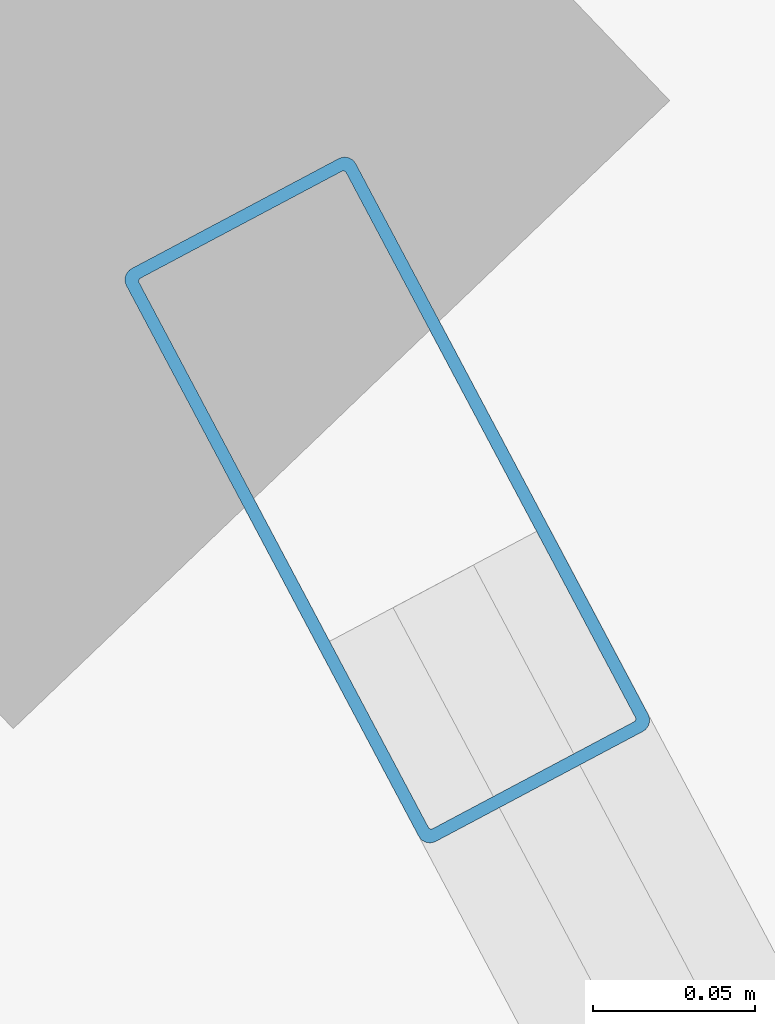
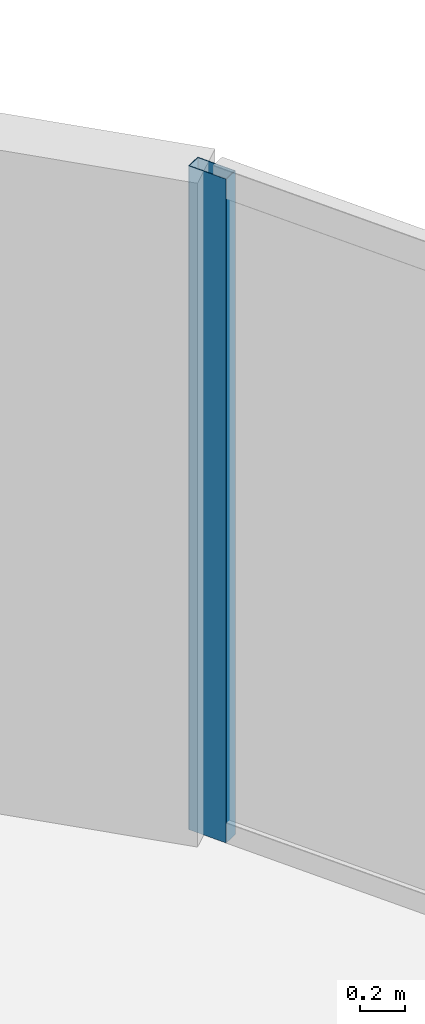
# One storey, part 14 of 21: 1 member, 1 element without a shape of its own.
"""IFC4 building model written with IfcOpenShell, lengths in metres."""

import ifcopenshell
import ifcopenshell.guid

model = None  # the IFC model being written
_history = None  # IfcOwnerHistory: only IFC2X3 demands one
_inside = {}  # id of a spatial element -> (the spatial element, [elements in it])
_under = {}  # id of a project, library or spatial element -> (it, [spatial elements below it])
_declared = {}  # id of a project -> (the project, [libraries it declares])
_typed = {}  # id of a type object -> (the type object, [elements of that type])
_made_of = {}  # id of a material, layer set ... -> (it, [elements and type objects made of it])


def new_model(schema):
    """Start an empty IFC model of exactly this schema.

    Asked for "IFC4X3", IfcOpenShell would pick the latest addendum, in which some entities
    have other attributes; the version numbers below select the first issue.
    IFC2X3 requires an IfcOwnerHistory on every rooted entity: one is made here for all.
    """
    global model, _history
    if schema == "IFC4X3":
        model = ifcopenshell.file(schema_version=(4, 3, 0, 0))
    else:
        model = ifcopenshell.file(schema=schema)
    _inside.clear()
    _under.clear()
    _declared.clear()
    _typed.clear()
    _made_of.clear()
    _history = None
    if model.schema == "IFC2X3":
        org = make("IfcOrganization", Name="unknown")
        user = make(
            "IfcPersonAndOrganization",
            ThePerson=make("IfcPerson", FamilyName="unknown"),
            TheOrganization=org,
        )
        app = make(
            "IfcApplication",
            ApplicationDeveloper=org,
            Version="unknown",
            ApplicationFullName="unknown",
            ApplicationIdentifier="unknown",
        )
        _history = make(
            "IfcOwnerHistory",
            OwningUser=user,
            OwningApplication=app,
            ChangeAction="ADDED",
            CreationDate=0,
        )
    return model


def make(cls, **values):
    """One entity of the class cls with the attributes given. An attribute that is None is left unset."""
    return model.create_entity(
        cls, **{name: value for name, value in values.items() if value is not None}
    )


def rooted(cls, **values):
    """An entity with a GlobalId (a new one), such as an element, a storey or a relation."""
    return make(cls, GlobalId=ifcopenshell.guid.new(), OwnerHistory=_history, **values)


def si_unit(unit_type, name, prefix=None):
    """IfcSIUnit, for example si_unit("LENGTHUNIT", "METRE", prefix="MILLI")."""
    return make("IfcSIUnit", UnitType=unit_type, Prefix=prefix, Name=name)


def assignment(units):
    """IfcUnitAssignment: the units of a project."""
    return None if units is None else make("IfcUnitAssignment", Units=units)


def point(xyz):
    """IfcCartesianPoint."""
    return None if xyz is None else make("IfcCartesianPoint", Coordinates=xyz)


def direction(xyz):
    """IfcDirection."""
    return None if xyz is None else make("IfcDirection", DirectionRatios=xyz)


def frame(location, z_axis=None, x_axis=None):
    """IfcAxis2Placement3D, a coordinate frame: its origin and axes. An axis left out is left unset."""
    return make(
        "IfcAxis2Placement3D",
        Location=point(location),
        Axis=direction(z_axis),
        RefDirection=direction(x_axis),
    )


def frame_2d(location, x_axis=None):
    """IfcAxis2Placement2D, a coordinate frame in the plane: its origin and x axis."""
    return make(
        "IfcAxis2Placement2D", Location=point(location), RefDirection=direction(x_axis)
    )


def origin():
    """The frame at (0, 0, 0) with its axes left unset."""
    return frame((0.0, 0.0, 0.0))


def origin_2d():
    """The frame at (0, 0) in the plane with its x axis left unset."""
    return frame_2d((0.0, 0.0))


def place(relative_to, where):
    """IfcLocalPlacement: puts the frame where relative to a parent placement (None: the world)."""
    return make(
        "IfcLocalPlacement", PlacementRelTo=relative_to, RelativePlacement=where
    )


def context(
    kind, dimensions, precision=None, world=None, true_north=None, identifier=None
):
    """IfcGeometricRepresentationContext, for example the 3D "Model" context."""
    return make(
        "IfcGeometricRepresentationContext",
        ContextIdentifier=identifier,
        ContextType=kind,
        CoordinateSpaceDimension=dimensions,
        Precision=precision,
        WorldCoordinateSystem=world,
        TrueNorth=true_north,
    )


def subcontext(parent, identifier, kind, view, scale=None):
    """IfcGeometricRepresentationSubContext, for example "Body" below "Model"."""
    return make(
        "IfcGeometricRepresentationSubContext",
        ContextIdentifier=identifier,
        ContextType=kind,
        ParentContext=parent,
        TargetScale=scale,
        TargetView=view,
    )


def project(units=None, contexts=None):
    """IfcProject with its units and contexts."""
    return rooted(
        "IfcProject",
        Name="project",
        RepresentationContexts=contexts,
        UnitsInContext=assignment(units),
    )


def spatial(cls, under=None, at=None, **own):
    """A site, building, storey or space (cls), placed at a placement, below another one or the project."""
    s = rooted(cls, ObjectPlacement=at, **own)
    if under is not None:
        _under.setdefault(under.id(), (under, []))[1].append(s)
    return s


def profile(cls, at=None, kind="AREA", **sizes):
    """A parametric profile (cls). Its sizes go by their IFC names, for example OverallWidth=200.0."""
    return make(cls, ProfileType=kind, Position=at, **sizes)


def hollow_rectangle(**sizes):
    """IfcRectangleHollowProfileDef."""
    return profile("IfcRectangleHollowProfileDef", **sizes)


def extrude(swept, where, along, depth):
    """IfcExtrudedAreaSolid: the profile swept, set in the frame where, extruded along a direction by depth."""
    return make(
        "IfcExtrudedAreaSolid",
        SweptArea=swept,
        Position=where,
        ExtrudedDirection=direction(along),
        Depth=depth,
    )


def shape(context_of_items, identifier, shape_type, items):
    """IfcShapeRepresentation: the items that make up one representation, for example the "Body"."""
    return make(
        "IfcShapeRepresentation",
        ContextOfItems=context_of_items,
        RepresentationIdentifier=identifier,
        RepresentationType=shape_type,
        Items=items,
    )


def material(Name=None, Category=None):
    """IfcMaterial."""
    return make("IfcMaterial", Name=Name, Category=Category)


def layer(
    of_material, thickness, ventilated=None, Name=None, Category=None, Priority=None
):
    """IfcMaterialLayer: one layer of a wall or slab, of a material (None: an air gap)."""
    return make(
        "IfcMaterialLayer",
        Material=of_material,
        LayerThickness=thickness,
        IsVentilated=ventilated,
        Name=Name,
        Category=Category,
        Priority=Priority,
    )


def layer_set(layers, Name=None):
    """IfcMaterialLayerSet."""
    return make("IfcMaterialLayerSet", MaterialLayers=layers, LayerSetName=Name)


def material_profile(
    of_material, cross_section, Name=None, Category=None, Priority=None
):
    """IfcMaterialProfile: a cross section and its material."""
    return make(
        "IfcMaterialProfile",
        Name=Name,
        Material=of_material,
        Profile=cross_section,
        Priority=Priority,
        Category=Category,
    )


def profile_set(profiles, Name=None, composite=None):
    """IfcMaterialProfileSet."""
    return make(
        "IfcMaterialProfileSet",
        Name=Name,
        MaterialProfiles=profiles,
        CompositeProfile=composite,
    )


def made_of(thing, what):
    """Note that an element or type object is made of a material, layer set ...; save() writes the relation."""
    if what is not None:
        _made_of.setdefault(what.id(), (what, []))[1].append(thing)
    return thing


def type_object(cls, material=None, **own):
    """A type object (cls), such as IfcWallType, which elements share."""
    return made_of(rooted(cls, **own), material)


def element(
    cls,
    number,
    at=None,
    inside=None,
    cuts=None,
    type_object=None,
    material=None,
    context=None,
    identifier="Body",
    shape_type=None,
    held_by="IfcProductDefinitionShape",
    body=None,
    shapes=None,
    **own,
):
    """One element of the class cls, such as IfcWall. Its Tag is "e" and its number.

    at: its placement. inside: the storey or other place that contains it. cuts: it is an
    opening in that element (IfcRelVoidsElement). A single representation is given by context,
    identifier, shape_type and body (its items); several are given by shapes. held_by: the class
    of the entity that holds the representations. save() writes the other relations.
    """
    e = rooted(cls, Tag="e%d" % number, ObjectPlacement=at, **own)
    if body is not None:
        shapes = [shape(context, identifier, shape_type, body)]
    if shapes is not None:
        e.Representation = make(held_by, Representations=shapes)
    if inside is not None:
        _inside.setdefault(inside.id(), (inside, []))[1].append(e)
    if cuts is not None:
        rooted(
            "IfcRelVoidsElement", RelatingBuildingElement=cuts, RelatedOpeningElement=e
        )
    if type_object is not None:
        _typed.setdefault(type_object.id(), (type_object, []))[1].append(e)
    return made_of(e, material)


def aggregate(whole, parts):
    """IfcRelAggregates: a whole, such as a stair, and the parts it consists of."""
    return rooted("IfcRelAggregates", RelatingObject=whole, RelatedObjects=parts)


def save(model, path):
    """Write the relations noted so far, then the file.

    IfcRelAggregates (storeys below a building ...), IfcRelContainedInSpatialStructure (elements
    in a storey), IfcRelDefinesByType, IfcRelAssociatesMaterial and IfcRelDeclares: one each for
    every whole, place, type object, material and project.
    """
    for whole, parts in _under.values():
        aggregate(whole, parts)
    for where, things in _inside.values():
        rooted(
            "IfcRelContainedInSpatialStructure",
            RelatedElements=things,
            RelatingStructure=where,
        )
    for kind, things in _typed.values():
        rooted("IfcRelDefinesByType", RelatedObjects=things, RelatingType=kind)
    for what, things in _made_of.values():
        rooted("IfcRelAssociatesMaterial", RelatedObjects=things, RelatingMaterial=what)
    for by, libraries in _declared.values():
        rooted("IfcRelDeclares", RelatingContext=by, RelatedDefinitions=libraries)
    model.write(path)


model = new_model("IFC4")

# Units and contexts
model_context = context("Model", 3, precision=1e-05, world=origin(), true_north=direction((0.0, 1.0)))
body_context = subcontext(model_context, "Body", "Model", "MODEL_VIEW")
ifc_project = project(units=[si_unit("LENGTHUNIT", "METRE"), si_unit("AREAUNIT", "SQUARE_METRE"), si_unit("VOLUMEUNIT", "CUBIC_METRE"), si_unit("PLANEANGLEUNIT", "RADIAN"), si_unit("MASSUNIT", "GRAM", prefix="KILO")], contexts=[model_context])

# Site, building, storey
site_placement = place(None, origin())
site = spatial("IfcSite", under=ifc_project, at=site_placement, CompositionType="ELEMENT")
building_placement = place(site_placement, origin())
building = spatial("IfcBuilding", under=site, at=building_placement, Name="Bramvorn Convention Spire", CompositionType="ELEMENT")
storey_placement = place(building_placement, frame((0.0, 0.0, 249.75)))
storey = spatial("IfcBuildingStorey", under=building, at=storey_placement, Name="L63", CompositionType="ELEMENT", Elevation=249.75)

# Curtain wall, member
ifc_material_1 = material(Name="Anodised Bronze Unitised Curtain Wall", Category="aluminium")
ifc_layer = layer(ifc_material_1, 0.179931640625)
ifc_layer_set = layer_set([ifc_layer], Name="Anodised Bronze Unitised Curtain Wall - CW-OFF-FRIT")
curtain_wall_type = type_object("IfcCurtainWallType", Name="CW-OFF-FRIT", PredefinedType="USERDEFINED", material=ifc_layer_set)
curtain_wall_placement = place(storey_placement, origin())
curtain_wall = element("IfcCurtainWall", 1, at=curtain_wall_placement, inside=storey, type_object=curtain_wall_type, Name="L63 fritted glass curtain wall 06", ObjectType="UNITISED CURTAIN WALL", PredefinedType="USERDEFINED")
ifc_material_2 = material(Name="Anodised Bronze Aluminium 6063-T6", Category="aluminium")
ifc_material_profile = material_profile(ifc_material_2, hollow_rectangle(XDim=0.080078125, YDim=0.199951171875, WallThickness=0.00390625, InnerFilletRadius=0.0009765625, OuterFilletRadius=0.00390625, at=origin_2d()))
ifc_profile_set = profile_set([ifc_material_profile], Name="Anodised Bronze Aluminium 6063-T6 - CWM80X200")
member_type = type_object("IfcMemberType", Name="CW-MUL-180", PredefinedType="MULLION", material=ifc_profile_set)
member_placement = place(storey_placement, frame((53.92626953125, 38.951416015625, 0.0), z_axis=(0.0, 0.0, 1.0), x_axis=(0.883204373581, 0.468988309542, 0.0)))
member = element("IfcMember", 2, at=member_placement, type_object=member_type, Name="CW3 mullion 1", PredefinedType="MULLION", context=body_context, shape_type="SweptSolid", body=[
    extrude(hollow_rectangle(XDim=0.080078125, YDim=0.199951171875, WallThickness=0.00390625, InnerFilletRadius=0.0009765625, OuterFilletRadius=0.00390625, at=origin_2d()), origin(), (0.0, 0.0, 1.0), 3.625),
])
aggregate(curtain_wall, [member])

save(model, "model.ifc")
